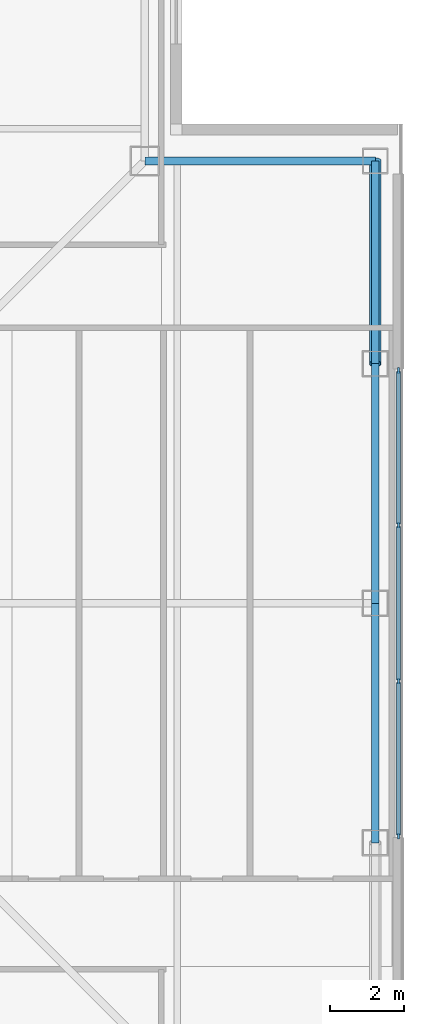
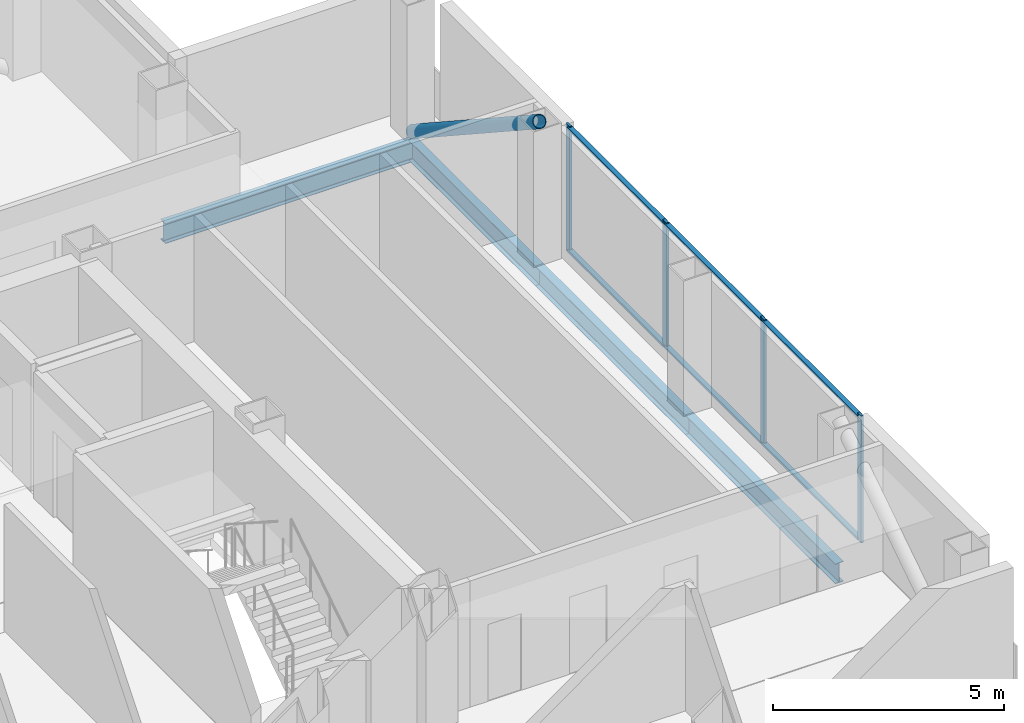
# One storey, part 6 of 16: 11 members, 4 beams, 1 element without a shape of its own.
"""IFC4 building model written with IfcOpenShell, lengths in metres."""

from ifc_helpers import new_model, si_unit, direction, frame, origin, origin_2d, place, context, subcontext, project, spatial, rectangle, hollow_circle, i_section, extrude, material, layer, layer_set, material_profile, profile_set, type_object, element, aggregate, save


model = new_model("IFC4")

# Units and contexts
model_context = context("Model", 3, precision=1e-05, world=origin(), true_north=direction((0.0, 1.0)))
body_context = subcontext(model_context, "Body", "Model", "MODEL_VIEW")
ifc_project = project(units=[si_unit("LENGTHUNIT", "METRE"), si_unit("AREAUNIT", "SQUARE_METRE"), si_unit("VOLUMEUNIT", "CUBIC_METRE"), si_unit("PLANEANGLEUNIT", "RADIAN"), si_unit("MASSUNIT", "GRAM", prefix="KILO")], contexts=[model_context])

# Site, building, storey
site_placement = place(None, origin())
site = spatial("IfcSite", under=ifc_project, at=site_placement, CompositionType="ELEMENT")
building_placement = place(site_placement, origin())
building = spatial("IfcBuilding", under=site, at=building_placement, Name="Trevonay Congress Spire", CompositionType="ELEMENT")
storey_placement = place(building_placement, frame((0.0, 0.0, 279.199951171875)))
storey = spatial("IfcBuildingStorey", under=building, at=storey_placement, Name="L73", CompositionType="ELEMENT", Elevation=279.199951171875)

# Beams
ifc_material_1 = material(Name="Steel ASTM A572 Grade 50", Category="steel")
ifc_material_profile_1 = material_profile(ifc_material_1, i_section(OverallWidth=0.208984375, OverallDepth=0.532958984375, WebThickness=0.01025390625, FlangeThickness=0.015625, FilletRadius=0.014892578125, at=origin_2d()), Name="W530x92")
ifc_profile_set_1 = profile_set([ifc_material_profile_1], Name="Steel ASTM A572 Grade 50")
beam_type = type_object("IfcBeamType", Name="BM-RING-W530X92", PredefinedType="BEAM", material=ifc_profile_set_1)
for number, where, z_axis, x_axis, name in (
    (1, (18.25, -6.5, -0.50634765625), (0.0, 1.0, 0.0), (-1.0, 0.0, 0.0), "L73 structural beam BM-L73-PE2"),
    (2, (18.25, 0.0, -0.50634765625), (0.0, 1.0, 0.0), (-1.0, 0.0, 0.0), "L73 structural beam BM-L73-PE3"),
):
    element("IfcBeam", number, at=place(storey_placement, frame(where, z_axis=z_axis, x_axis=x_axis)), inside=storey, type_object=beam_type, Name=name, PredefinedType="BEAM", context=body_context, shape_type="SweptSolid", body=[
        extrude(i_section(OverallWidth=0.208984375, OverallDepth=0.532958984375, WebThickness=0.01025390625, FlangeThickness=0.015625, FilletRadius=0.014892578125, at=origin_2d()), origin(), (0.0, 0.0, 1.0), 6.5),
    ])
beam_1_placement = place(storey_placement, frame((18.25, 6.5, -0.50634765625), z_axis=(0.0, 1.0, 0.0), x_axis=(-1.0, 0.0, 0.0)))
element("IfcBeam", 3, at=beam_1_placement, inside=storey, type_object=beam_type, Name="L73 structural beam BM-L73-PE4", PredefinedType="BEAM", context=body_context, shape_type="SweptSolid", body=[
    extrude(i_section(OverallWidth=0.208984375, OverallDepth=0.532958984375, WebThickness=0.01025390625, FlangeThickness=0.015625, FilletRadius=0.014892578125, at=origin_2d()), origin(), (0.0, 0.0, 1.0), 5.5),
])
beam_2_placement = place(storey_placement, frame((18.25, 12.0, -0.50634765625), z_axis=(-1.0, 0.0, 0.0), x_axis=(0.0, -1.0, 0.0)))
element("IfcBeam", 4, at=beam_2_placement, inside=storey, type_object=beam_type, Name="L73 structural beam BM-L73-N2NE", PredefinedType="BEAM", context=body_context, shape_type="SweptSolid", body=[
    extrude(i_section(OverallWidth=0.208984375, OverallDepth=0.532958984375, WebThickness=0.01025390625, FlangeThickness=0.015625, FilletRadius=0.014892578125, at=origin_2d()), origin(), (0.0, 0.0, 1.0), 6.25),
])

# Curtain wall, members
ifc_material_2 = material(Name="Pale Anodised Aluminium EN AW-6063-T6", Category="aluminium")
ifc_layer = layer(ifc_material_2, 0.1650390625, Name="Pale Anodised Aluminium EN AW-6063-T6")
ifc_layer_set = layer_set([ifc_layer], Name="Pale Anodised Aluminium EN AW-6063-T6")
curtain_wall_type = type_object("IfcCurtainWallType", Name="CW-SYS05-DIPLOM-PALE-METAL", PredefinedType="NOTDEFINED", material=ifc_layer_set)
curtain_wall_placement = place(storey_placement, origin())
curtain_wall = element("IfcCurtainWall", 5, at=curtain_wall_placement, inside=storey, type_object=curtain_wall_type, Name="L73 E unitised curtain wall", PredefinedType="NOTDEFINED")
ifc_material_profile_2 = material_profile(ifc_material_2, rectangle(XDim=0.06005859375, YDim=0.159912109375, at=origin_2d()), Name="CW-MULLION-160-ALUMINIUM")
ifc_profile_set_2 = profile_set([ifc_material_profile_2], Name="Pale Anodised Aluminium EN AW-6063-T6")
member_type_1 = type_object("IfcMemberType", Name="CW-MULLION-160-ALUMINIUM", PredefinedType="MULLION", material=ifc_profile_set_2)
member_1_placement = place(storey_placement, frame((18.8798828125, -6.320068359375, 0.0), z_axis=(0.0, 0.0, 1.0), x_axis=(-1.0, 0.0, 0.0)))
member_1 = element("IfcMember", 6, at=member_1_placement, type_object=member_type_1, Name="CW05 mullion 1", PredefinedType="MULLION", context=body_context, shape_type="SweptSolid", body=[
    extrude(rectangle(XDim=0.06005859375, YDim=0.159912109375, at=origin_2d()), origin(), (0.0, 0.0, 1.0), 3.360107421875),
])
member_2_placement = place(storey_placement, frame((18.8798828125, -2.11669921875, 0.0), z_axis=(0.0, 0.0, 1.0), x_axis=(-1.0, 0.0, 0.0)))
member_2 = element("IfcMember", 7, at=member_2_placement, type_object=member_type_1, Name="CW05 mullion 2", PredefinedType="MULLION", context=body_context, shape_type="SweptSolid", body=[
    extrude(rectangle(XDim=0.06005859375, YDim=0.159912109375, at=origin_2d()), origin(), (0.0, 0.0, 1.0), 3.360107421875),
])
member_3_placement = place(storey_placement, frame((18.8798828125, 2.11669921875, 0.0), z_axis=(0.0, 0.0, 1.0), x_axis=(-1.0, 0.0, 0.0)))
member_3 = element("IfcMember", 8, at=member_3_placement, type_object=member_type_1, Name="CW05 mullion 3", PredefinedType="MULLION", context=body_context, shape_type="SweptSolid", body=[
    extrude(rectangle(XDim=0.06005859375, YDim=0.159912109375, at=origin_2d()), origin(), (0.0, 0.0, 1.0), 3.360107421875),
])
member_4_placement = place(storey_placement, frame((18.8798828125, 6.320068359375, 0.0), z_axis=(0.0, 0.0, 1.0), x_axis=(-1.0, 0.0, 0.0)))
member_4 = element("IfcMember", 9, at=member_4_placement, type_object=member_type_1, Name="CW05 mullion 4", PredefinedType="MULLION", context=body_context, shape_type="SweptSolid", body=[
    extrude(rectangle(XDim=0.06005859375, YDim=0.159912109375, at=origin_2d()), origin(), (0.0, 0.0, 1.0), 3.360107421875),
])
ifc_material_profile_3 = material_profile(ifc_material_2, rectangle(XDim=0.1201171875, YDim=0.06005859375, at=origin_2d()), Name="CW-TRANSOM-120-ALUMINIUM")
ifc_profile_set_3 = profile_set([ifc_material_profile_3], Name="Pale Anodised Aluminium EN AW-6063-T6")
member_type_2 = type_object("IfcMemberType", Name="CW-TRANSOM-120-ALUMINIUM", PredefinedType="USERDEFINED", material=ifc_profile_set_3)
member_5_placement = place(storey_placement, frame((18.8798828125, -6.2900390625, 0.06005859375), z_axis=(0.0, 1.0, 0.0), x_axis=(-1.0, 0.0, 0.0)))
member_5 = element("IfcMember", 10, at=member_5_placement, type_object=member_type_2, Name="CW05 transom 1.1", ObjectType="TRANSOM", PredefinedType="USERDEFINED", context=body_context, shape_type="SweptSolid", body=[
    extrude(rectangle(XDim=0.1201171875, YDim=0.06005859375, at=origin_2d()), origin(), (0.0, 0.0, 1.0), 4.143310546875),
])
member_6_placement = place(storey_placement, frame((18.8798828125, -6.2900390625, 3.300048828125), z_axis=(0.0, 1.0, 0.0), x_axis=(-1.0, 0.0, 0.0)))
member_6 = element("IfcMember", 11, at=member_6_placement, type_object=member_type_2, Name="CW05 transom 1.2", ObjectType="TRANSOM", PredefinedType="USERDEFINED", context=body_context, shape_type="SweptSolid", body=[
    extrude(rectangle(XDim=0.1201171875, YDim=0.06005859375, at=origin_2d()), origin(), (0.0, 0.0, 1.0), 4.143310546875),
])
member_7_placement = place(storey_placement, frame((18.8798828125, -2.086669921875, 0.06005859375), z_axis=(0.0, 1.0, 0.0), x_axis=(-1.0, 0.0, 0.0)))
member_7 = element("IfcMember", 12, at=member_7_placement, type_object=member_type_2, Name="CW05 transom 2.1", ObjectType="TRANSOM", PredefinedType="USERDEFINED", context=body_context, shape_type="SweptSolid", body=[
    extrude(rectangle(XDim=0.1201171875, YDim=0.06005859375, at=origin_2d()), origin(), (0.0, 0.0, 1.0), 4.17333984375),
])
member_8_placement = place(storey_placement, frame((18.8798828125, -2.086669921875, 3.300048828125), z_axis=(0.0, 1.0, 0.0), x_axis=(-1.0, 0.0, 0.0)))
member_8 = element("IfcMember", 13, at=member_8_placement, type_object=member_type_2, Name="CW05 transom 2.2", ObjectType="TRANSOM", PredefinedType="USERDEFINED", context=body_context, shape_type="SweptSolid", body=[
    extrude(rectangle(XDim=0.1201171875, YDim=0.06005859375, at=origin_2d()), origin(), (0.0, 0.0, 1.0), 4.17333984375),
])
member_9_placement = place(storey_placement, frame((18.8798828125, 2.146728515625, 0.06005859375), z_axis=(0.0, 1.0, 0.0), x_axis=(-1.0, 0.0, 0.0)))
member_9 = element("IfcMember", 14, at=member_9_placement, type_object=member_type_2, Name="CW05 transom 3.1", ObjectType="TRANSOM", PredefinedType="USERDEFINED", context=body_context, shape_type="SweptSolid", body=[
    extrude(rectangle(XDim=0.1201171875, YDim=0.06005859375, at=origin_2d()), origin(), (0.0, 0.0, 1.0), 4.143310546875),
])
member_10_placement = place(storey_placement, frame((18.8798828125, 2.146728515625, 3.300048828125), z_axis=(0.0, 1.0, 0.0), x_axis=(-1.0, 0.0, 0.0)))
member_10 = element("IfcMember", 15, at=member_10_placement, type_object=member_type_2, Name="CW05 transom 3.2", ObjectType="TRANSOM", PredefinedType="USERDEFINED", context=body_context, shape_type="SweptSolid", body=[
    extrude(rectangle(XDim=0.1201171875, YDim=0.06005859375, at=origin_2d()), origin(), (0.0, 0.0, 1.0), 4.143310546875),
])
aggregate(curtain_wall, [member_1, member_2, member_3, member_4, member_5, member_6, member_7, member_8, member_9, member_10])

# Member
ifc_material_3 = material(Name="Steel ASTM A500 Grade C", Category="steel")
ifc_material_profile_4 = material_profile(ifc_material_3, hollow_circle(Radius=0.161865234375, WallThickness=0.01611328125, at=origin_2d()), Name="CHS 323.9x16")
ifc_profile_set_4 = profile_set([ifc_material_profile_4], Name="Steel ASTM A500 Grade C")
member_type_3 = type_object("IfcMemberType", Name="MBR-TUBE-CHS324", PredefinedType="BRACE", material=ifc_profile_set_4)
member_11_placement = place(storey_placement, frame((18.25, 12.0, -0.050048828125), z_axis=(0.0, -0.836694709366, 0.547669574943), x_axis=(1.0, 0.0, 0.0)))
element("IfcMember", 16, at=member_11_placement, inside=storey, type_object=member_type_3, Name="L73 perimeter braced-tube diagonal E3", PredefinedType="BRACE", context=body_context, shape_type="SweptSolid", body=[
    extrude(hollow_circle(Radius=0.161865234375, WallThickness=0.01611328125, at=origin_2d()), origin(), (0.0, 0.0, 1.0), 6.573486328125),
])

save(model, "model.ifc")
